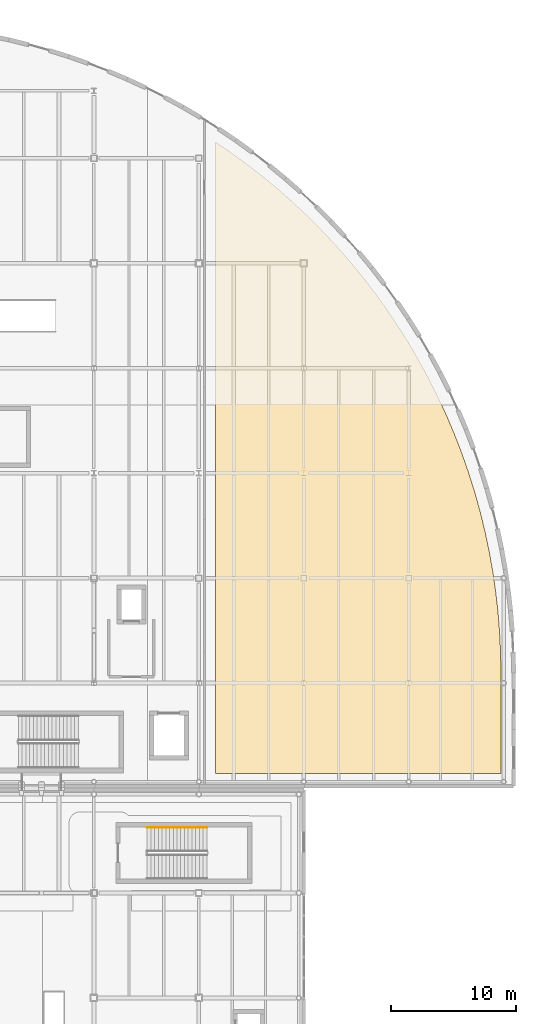
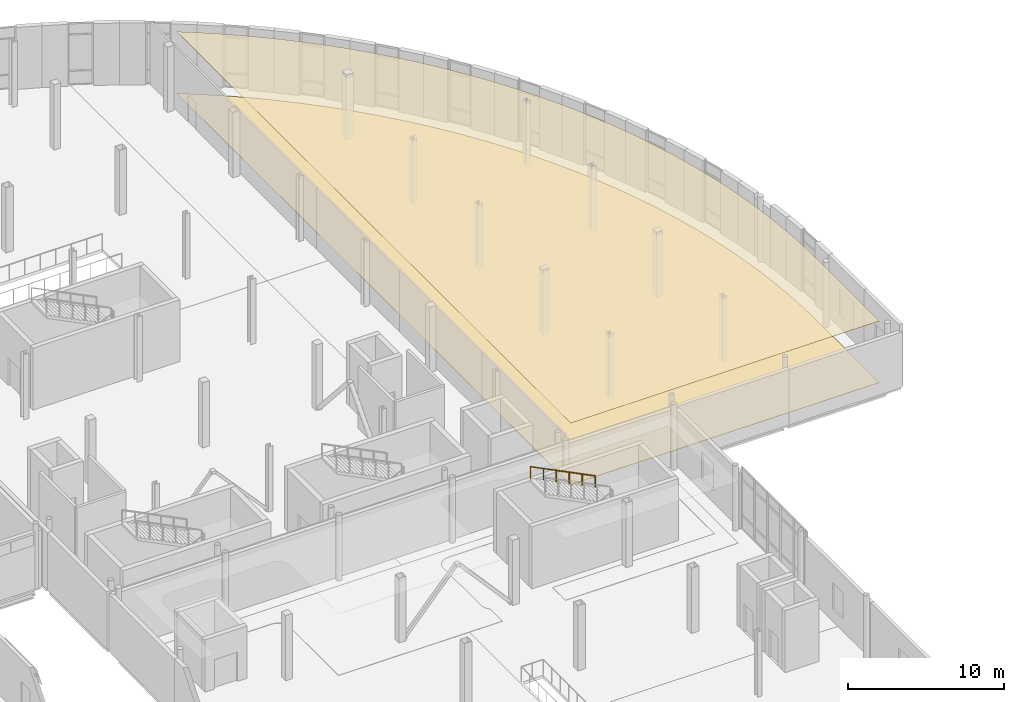
# One storey, part 101 of 104: 2 coverings, 1 railing.
"""IFC4 building model written with IfcOpenShell, lengths in metres."""

from ifc_helpers import new_model, si_unit, direction, frame, origin, origin_2d, place, context, subcontext, project, spatial, polyline, circle, outline, extrude, material, layer, layer_set, type_object, element, save


model = new_model("IFC4")

# Units and contexts
model_context = context("Model", 3, precision=1e-05, world=origin(), true_north=direction((0.0, 1.0)))
body_context = subcontext(model_context, "Body", "Model", "MODEL_VIEW")
ifc_project = project(units=[si_unit("LENGTHUNIT", "METRE"), si_unit("AREAUNIT", "SQUARE_METRE"), si_unit("VOLUMEUNIT", "CUBIC_METRE"), si_unit("PLANEANGLEUNIT", "RADIAN"), si_unit("MASSUNIT", "GRAM", prefix="KILO"), si_unit("THERMODYNAMICTEMPERATUREUNIT", "KELVIN")], contexts=[model_context])

# Site, building, storey
site_placement = place(None, origin())
site = spatial("IfcSite", under=ifc_project, at=site_placement, CompositionType="ELEMENT")
building_placement = place(site_placement, origin())
building = spatial("IfcBuilding", under=site, at=building_placement, Name="Lustrewick Department Store", CompositionType="ELEMENT")
storey_placement = place(building_placement, frame((0.0, 0.0, 11.39990234375)))
storey = spatial("IfcBuildingStorey", under=building, at=storey_placement, Name="L03", CompositionType="ELEMENT", Elevation=11.39990234375)

# Coverings
ifc_material_1 = material(Name="Perforated mineral-fibre acoustic ceiling board", Category="gypsum")
ifc_layer_1 = layer(ifc_material_1, 0.02490234375, Name="Perforated mineral-fibre acoustic ceiling board")
ifc_layer_set_1 = layer_set([ifc_layer_1], Name="Perforated mineral-fibre acoustic ceiling board")
covering_type_1 = type_object("IfcCoveringType", Name="COV-CEIL", PredefinedType="CEILING", material=ifc_layer_set_1)
covering_1_placement = place(storey_placement, frame((0.0, 0.0, 4.820068359375)))
element("IfcCovering", 1, at=covering_1_placement, inside=storey, type_object=covering_type_1, Name="L03 Merchandise Selection Studio Acoustic Ceiling", PredefinedType="CEILING", context=body_context, shape_type="SweptSolid", body=[
    extrude(outline(polyline([(144.128173828125, 102.112060546875), (144.128173828125, 51.570068359375), (166.97998046875, 51.570068359375), (166.97998046875, 59.591796875), (166.95361328125, 61.23388671875), (166.875244140625, 62.8662109375), (166.744384765625, 64.495361328125), (166.561279296875, 66.119140625), (166.326416015625, 67.736328125), (166.039794921875, 69.34521484375), (165.701904296875, 70.944091796875), (165.3125, 72.53125), (164.872802734375, 74.105224609375), (164.3828125, 75.664306640625), (163.843017578125, 77.206787109375), (163.254150390625, 78.731201171875), (162.61669921875, 80.235595703125), (161.93115234375, 81.71923828125), (161.19873046875, 83.18017578125), (160.419677734375, 84.61669921875), (159.59521484375, 86.027587890625), (158.7255859375, 87.411376953125), (157.8125, 88.7666015625), (156.85595703125, 90.091552734375), (155.857666015625, 91.385498046875), (154.818359375, 92.646484375), (153.7392578125, 93.873779296875), (152.621337890625, 95.06591796875), (151.4658203125, 96.221435546875), (150.273681640625, 97.33935546875), (149.046630859375, 98.41845703125), (147.785400390625, 99.45751953125), (146.49169921875, 100.4560546875), (145.16650390625, 101.412353515625), (144.128173828125, 102.112060546875)])), origin(), (0.0, 0.0, 1.0), 0.025146484375),
])
ifc_material_2 = material(Name="Polished terrazzo and porcelain floor finish", Category="masonry")
ifc_layer_2 = layer(ifc_material_2, 0.02001953125, Name="Polished terrazzo and porcelain floor finish")
ifc_layer_set_2 = layer_set([ifc_layer_2], Name="Polished terrazzo and porcelain floor finish")
covering_type_2 = type_object("IfcCoveringType", Name="COV-FLR", PredefinedType="FLOORING", material=ifc_layer_set_2)
covering_2_placement = place(storey_placement, origin())
element("IfcCovering", 2, at=covering_2_placement, inside=storey, type_object=covering_type_2, Name="L03 Merchandise Selection Studio Terrazzo Flooring", PredefinedType="FLOORING", context=body_context, shape_type="SweptSolid", body=[
    extrude(outline(polyline([(144.128173828125, 102.112060546875), (144.128173828125, 51.570068359375), (166.97998046875, 51.570068359375), (166.97998046875, 59.591796875), (166.95361328125, 61.23388671875), (166.875244140625, 62.8662109375), (166.744384765625, 64.495361328125), (166.561279296875, 66.119140625), (166.326416015625, 67.736328125), (166.039794921875, 69.34521484375), (165.701904296875, 70.944091796875), (165.3125, 72.53125), (164.872802734375, 74.105224609375), (164.3828125, 75.664306640625), (163.843017578125, 77.206787109375), (163.254150390625, 78.731201171875), (162.61669921875, 80.235595703125), (161.93115234375, 81.71923828125), (161.19873046875, 83.18017578125), (160.419677734375, 84.61669921875), (159.59521484375, 86.027587890625), (158.7255859375, 87.411376953125), (157.8125, 88.7666015625), (156.85595703125, 90.091552734375), (155.857666015625, 91.385498046875), (154.818359375, 92.646484375), (153.7392578125, 93.873779296875), (152.621337890625, 95.06591796875), (151.4658203125, 96.221435546875), (150.273681640625, 97.33935546875), (149.046630859375, 98.41845703125), (147.785400390625, 99.45751953125), (146.49169921875, 100.4560546875), (145.16650390625, 101.412353515625), (144.128173828125, 102.112060546875)])), origin(), (0.0, 0.0, 1.0), 0.02001953125),
])

# Railing
ifc_material_3 = material(Name="Brushed stainless steel wall handrail", Category="steel")
railing_type = type_object("IfcRailingType", Name="RL-STH", PredefinedType="HANDRAIL", material=ifc_material_3)
railing_placement = place(storey_placement, frame((143.449951171875, 47.25, 2.7001953125)))
element("IfcRailing", 3, at=railing_placement, inside=storey, type_object=railing_type, Name="L03 ST08 Stair Handrail 2", PredefinedType="HANDRAIL", context=body_context, shape_type="SweptSolid", body=[
    extrude(circle(Radius=0.02392578125, at=origin_2d()), frame((0.0, 0.0, 0.8759765625), z_axis=(-0.894436289399, 0.0, 0.44719539824), x_axis=(0.0, -1.0, 0.0)), (0.0, 0.0, 1.0), 5.366455078125),
    extrude(circle(Radius=0.02099609375, at=origin_2d()), origin(), (0.0, 0.0, 1.0), 0.851806640625),
    extrude(circle(Radius=0.02099609375, at=origin_2d()), frame((-0.9599609375, 0.0, 0.47998046875)), (0.0, 0.0, 1.0), 0.851806640625),
    extrude(circle(Radius=0.02099609375, at=origin_2d()), frame((-1.919921875, 0.0, 0.9599609375)), (0.0, 0.0, 1.0), 0.851806640625),
    extrude(circle(Radius=0.02099609375, at=origin_2d()), frame((-2.880126953125, 0.0, 1.43994140625)), (0.0, 0.0, 1.0), 0.851806640625),
    extrude(circle(Radius=0.02099609375, at=origin_2d()), frame((-3.840087890625, 0.0, 1.919921875)), (0.0, 0.0, 1.0), 0.851806640625),
    extrude(circle(Radius=0.02099609375, at=origin_2d()), frame((-4.800048828125, 0.0, 2.39990234375)), (0.0, 0.0, 1.0), 0.851806640625),
])

save(model, "model.ifc")
